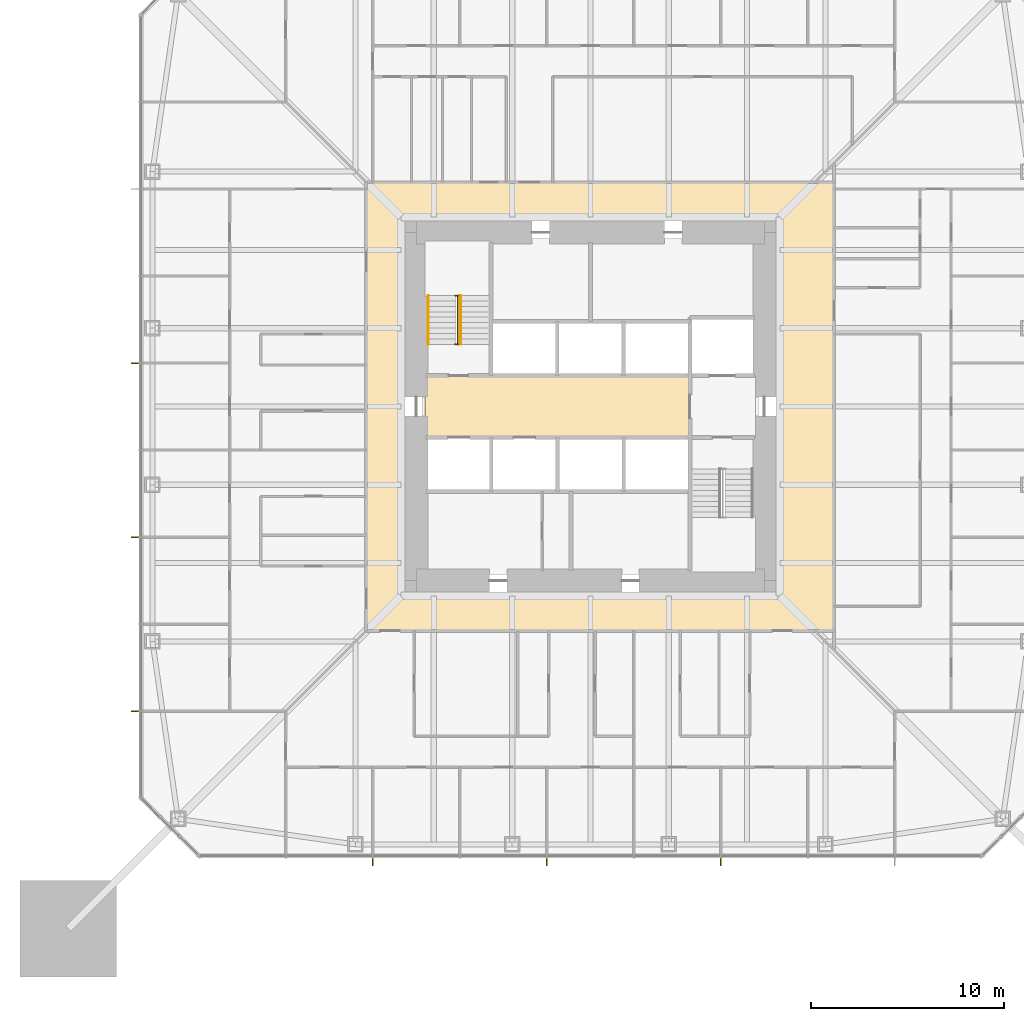
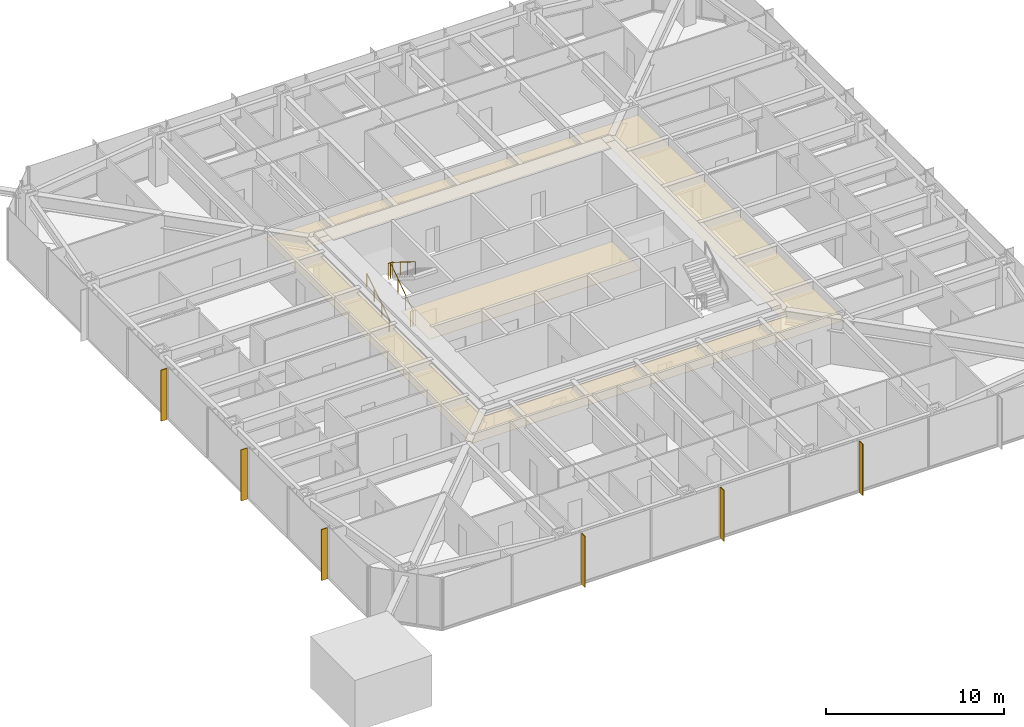
# One storey, part 23 of 26: 6 shading devices, 3 railings, 2 coverings.
"""IFC4 building model written with IfcOpenShell, lengths in metres."""

from ifc_helpers import new_model, si_unit, direction, frame, origin, origin_2d, place, context, subcontext, project, spatial, polyline, rectangle, circle, outline, extrude, material, layer, layer_set, constituent, constituent_set, type_object, element, save


model = new_model("IFC4")

# Units and contexts
model_context = context("Model", 3, precision=1e-05, world=origin(), true_north=direction((0.0, 1.0)))
body_context = subcontext(model_context, "Body", "Model", "MODEL_VIEW")
ifc_project = project(units=[si_unit("LENGTHUNIT", "METRE"), si_unit("AREAUNIT", "SQUARE_METRE"), si_unit("VOLUMEUNIT", "CUBIC_METRE"), si_unit("PLANEANGLEUNIT", "RADIAN"), si_unit("MASSUNIT", "GRAM", prefix="KILO")], contexts=[model_context])

# Site, building, storey
site_placement = place(None, origin())
site = spatial("IfcSite", under=ifc_project, at=site_placement, CompositionType="ELEMENT")
building_placement = place(site_placement, origin())
building = spatial("IfcBuilding", under=site, at=building_placement, Name="Iwan Alto Co-Living Towers", CompositionType="ELEMENT")
storey_placement = place(building_placement, frame((0.0, 0.0, 67.5)))
storey = spatial("IfcBuildingStorey", under=building, at=storey_placement, Name="L18", CompositionType="ELEMENT", Elevation=67.5)

# Covering
ifc_material_1 = material(Name="Mineral fibre acoustic tiles on steel grid", Category="steel")
ifc_layer_1 = layer(ifc_material_1, 0.02001953125)
ifc_layer_set_1 = layer_set([ifc_layer_1], Name="ACOUSTIC TILE CEILING 20")
covering_type_1 = type_object("IfcCoveringType", Name="ACOUSTIC TILE CEILING 20", PredefinedType="CEILING", material=ifc_layer_set_1)
covering_1_placement = place(storey_placement, frame((0.0, 0.0, 2.60009765625)))
element("IfcCovering", 1, at=covering_1_placement, inside=storey, type_object=covering_type_1, Name="Ceiling Lift lobby L18", PredefinedType="CEILING", context=body_context, shape_type="SweptSolid", body=[
    extrude(outline(polyline([(-8.550048828125, -1.60009765625), (-8.550048828125, 1.60009765625), (5.14990234375, 1.60009765625), (5.14990234375, -1.60009765625), (-8.550048828125, -1.60009765625)])), origin(), (0.0, 0.0, 1.0), 0.02001953125),
])

# Shading devices
ifc_material_2 = material(Name="Aluminium 6063-T6 bronze anodised", Category="aluminium")
ifc_layer_2 = layer(ifc_material_2, 0.050048828125)
ifc_layer_set_2 = layer_set([ifc_layer_2], Name="BRONZE FIN 50X400")
shading_device_type = type_object("IfcShadingDeviceType", Name="BRONZE FIN 50X400", PredefinedType="USERDEFINED", material=ifc_layer_set_2)
for number, where, z_axis, x_axis, name in (
    (2, (-11.25, -23.550048828125, 0.0), (0.0, 0.0, 1.0), (1.0, 0.0, 0.0), "Bronze fin L18"),
    (3, (-2.25, -23.550048828125, 0.0), (0.0, 0.0, 1.0), (1.0, 0.0, 0.0), "Bronze fin L18"),
    (4, (6.75, -23.550048828125, 0.0), (0.0, 0.0, 1.0), (1.0, 0.0, 0.0), "Bronze fin L18"),
    (5, (-23.550048828125, 2.25, 0.0), (0.0, 0.0, 1.0), (0.0, -1.0, 0.0), "Bronze fin L18"),
    (6, (-23.550048828125, -6.75, 0.0), (0.0, 0.0, 1.0), (0.0, -1.0, 0.0), "Bronze fin L18"),
    (7, (-23.550048828125, -15.75, 0.0), (0.0, 0.0, 1.0), (0.0, -1.0, 0.0), "Bronze fin L18"),
):
    element("IfcShadingDevice", number, at=place(storey_placement, frame(where, z_axis=z_axis, x_axis=x_axis)), inside=storey, type_object=shading_device_type, Name=name, ObjectType="LOUVER", PredefinedType="USERDEFINED", context=body_context, shape_type="SweptSolid", body=[
        extrude(rectangle(XDim=0.050048828125, YDim=0.39990234375, at=origin_2d()), origin(), (0.0, 0.0, 1.0), 3.5),
    ])

# Railings
ifc_material_3 = material(Name="Steel ASTM A500 Gr C", Category="steel")
ifc_constituent_1 = constituent(ifc_material_3, Name="Rails and posts", Category="Framing")
ifc_material_4 = material(Name="Steel ASTM A36", Category="steel")
ifc_constituent_2 = constituent(ifc_material_4, Name="Bar infill", Category="Infill")
ifc_constituent_set = constituent_set(constituents=[ifc_constituent_1, ifc_constituent_2], Name="STAIR GUARD 1100")
railing_type_1 = type_object("IfcRailingType", Name="STAIR GUARD 1100", PredefinedType="GUARDRAIL", material=ifc_constituent_set)
railing_1_placement = place(storey_placement, frame((-6.85009765625, 3.219970703125, 0.0)))
element("IfcRailing", 8, at=railing_1_placement, inside=storey, type_object=railing_type_1, Name="Stair T1-S1 well guard L18", PredefinedType="GUARDRAIL", context=body_context, shape_type="SweptSolid", body=[
    extrude(circle(Radius=0.02392578125, at=origin_2d()), frame((0.0, 0.0, 1.076171875), z_axis=(0.0, 0.821372036852, 0.570392826987), x_axis=(-1.0, 0.0, 0.0)), (0.0, 0.0, 1.0), 3.068115234375),
    extrude(circle(Radius=0.02392578125, at=origin_2d()), frame((-0.14990234375, 0.0, 1.076171875), z_axis=(1.0, 0.0, 0.0), x_axis=(0.0, 1.0, 0.0)), (0.0, 0.0, 1.0), 0.300048828125),
    extrude(circle(Radius=0.02392578125, at=origin_2d()), frame((-0.14990234375, 2.52001953125, 2.826171875), z_axis=(1.0, 0.0, 0.0), x_axis=(0.0, 1.0, 0.0)), (0.0, 0.0, 1.0), 0.300048828125),
    extrude(circle(Radius=0.02099609375, at=origin_2d()), origin(), (0.0, 0.0, 1.0), 1.052001953125),
    extrude(circle(Radius=0.02099609375, at=origin_2d()), frame((0.0, 0.840087890625, 0.583251953125)), (0.0, 0.0, 1.0), 1.052001953125),
    extrude(circle(Radius=0.02099609375, at=origin_2d()), frame((0.0, 1.679931640625, 1.166748046875)), (0.0, 0.0, 1.0), 1.052001953125),
    extrude(circle(Radius=0.02099609375, at=origin_2d()), frame((0.0, 2.52001953125, 1.75)), (0.0, 0.0, 1.0), 1.052001953125),
    extrude(circle(Radius=0.02099609375, at=origin_2d()), frame((-0.14990234375, 0.0, 0.0)), (0.0, 0.0, 1.0), 1.052001953125),
    extrude(circle(Radius=0.02099609375, at=origin_2d()), frame((0.150146484375, 0.0, 0.0)), (0.0, 0.0, 1.0), 1.052001953125),
    extrude(circle(Radius=0.02099609375, at=origin_2d()), frame((-0.14990234375, 2.52001953125, 1.75)), (0.0, 0.0, 1.0), 1.052001953125),
    extrude(circle(Radius=0.02099609375, at=origin_2d()), frame((0.150146484375, 2.52001953125, 1.75)), (0.0, 0.0, 1.0), 1.052001953125),
])
ifc_material_5 = material(Name="Steel ASTM A500 Gr C", Category="steel")
railing_type_2 = type_object("IfcRailingType", Name="STAIR HANDRAIL 900", PredefinedType="HANDRAIL", material=ifc_material_5)
railing_2_placement = place(storey_placement, frame((-8.3798828125, 3.219970703125, 0.175048828125)))
element("IfcRailing", 9, at=railing_2_placement, inside=storey, type_object=railing_type_2, Name="Stair T1-S1 handrail 1 L18", PredefinedType="HANDRAIL", context=body_context, shape_type="SweptSolid", body=[
    extrude(circle(Radius=0.02392578125, at=origin_2d()), frame((0.0, 0.0, 0.8759765625), z_axis=(0.0, 0.848007534815, 0.529984170421), x_axis=(-1.0, 0.0, 0.0)), (0.0, 0.0, 1.0), 2.9716796875),
    extrude(circle(Radius=0.02099609375, at=origin_2d()), origin(), (0.0, 0.0, 1.0), 0.851806640625),
    extrude(circle(Radius=0.02099609375, at=origin_2d()), frame((0.0, 0.840087890625, 0.52490234375)), (0.0, 0.0, 1.0), 0.851806640625),
    extrude(circle(Radius=0.02099609375, at=origin_2d()), frame((0.0, 1.679931640625, 1.050048828125)), (0.0, 0.0, 1.0), 0.851806640625),
    extrude(circle(Radius=0.02099609375, at=origin_2d()), frame((0.0, 2.52001953125, 1.574951171875)), (0.0, 0.0, 1.0), 0.851806640625),
])
railing_3_placement = place(storey_placement, frame((-6.699951171875, 5.739990234375, 1.925048828125)))
element("IfcRailing", 10, at=railing_3_placement, inside=storey, type_object=railing_type_2, Name="Stair T1-S1 handrail 2 L18", PredefinedType="HANDRAIL", context=body_context, shape_type="SweptSolid", body=[
    extrude(circle(Radius=0.02392578125, at=origin_2d()), frame((0.0, 0.0, 0.8759765625), z_axis=(0.0, -0.848007534815, 0.529984170421), x_axis=(1.0, 0.0, 0.0)), (0.0, 0.0, 1.0), 2.9716796875),
    extrude(circle(Radius=0.02099609375, at=origin_2d()), origin(), (0.0, 0.0, 1.0), 0.851806640625),
    extrude(circle(Radius=0.02099609375, at=origin_2d()), frame((0.0, -0.840087890625, 0.52490234375)), (0.0, 0.0, 1.0), 0.851806640625),
    extrude(circle(Radius=0.02099609375, at=origin_2d()), frame((0.0, -1.679931640625, 1.050048828125)), (0.0, 0.0, 1.0), 0.851806640625),
    extrude(circle(Radius=0.02099609375, at=origin_2d()), frame((0.0, -2.52001953125, 1.574951171875)), (0.0, 0.0, 1.0), 0.851806640625),
])

# Covering
ifc_material_6 = material(Name="Gypsum plasterboard on steel grid", Category="steel")
ifc_layer_3 = layer(ifc_material_6, 0.014892578125)
ifc_layer_set_3 = layer_set([ifc_layer_3], Name="SUSPENDED PLASTERBOARD CEILING 15")
covering_type_2 = type_object("IfcCoveringType", Name="SUSPENDED PLASTERBOARD CEILING 15", PredefinedType="CEILING", material=ifc_layer_set_3)
covering_2_placement = place(storey_placement, frame((0.0, 0.0, 2.60009765625)))
element("IfcCovering", 11, at=covering_2_placement, inside=storey, type_object=covering_type_2, Name="Ceiling Corridor L18", PredefinedType="CEILING", context=body_context, shape_type="SweptSolid", body=[
    extrude(outline(polyline([(-11.60009765625, 11.60009765625), (12.60009765625, 11.60009765625), (12.60009765625, -11.60009765625), (-11.60009765625, -11.60009765625), (-11.60009765625, 11.60009765625)]), holes=[polyline([(-9.60009765625, 9.60009765625), (-9.60009765625, -9.60009765625), (9.60009765625, -9.60009765625), (9.60009765625, 9.60009765625), (-9.60009765625, 9.60009765625)])]), origin(), (0.0, 0.0, 1.0), 0.014892578125),
])

save(model, "model.ifc")
